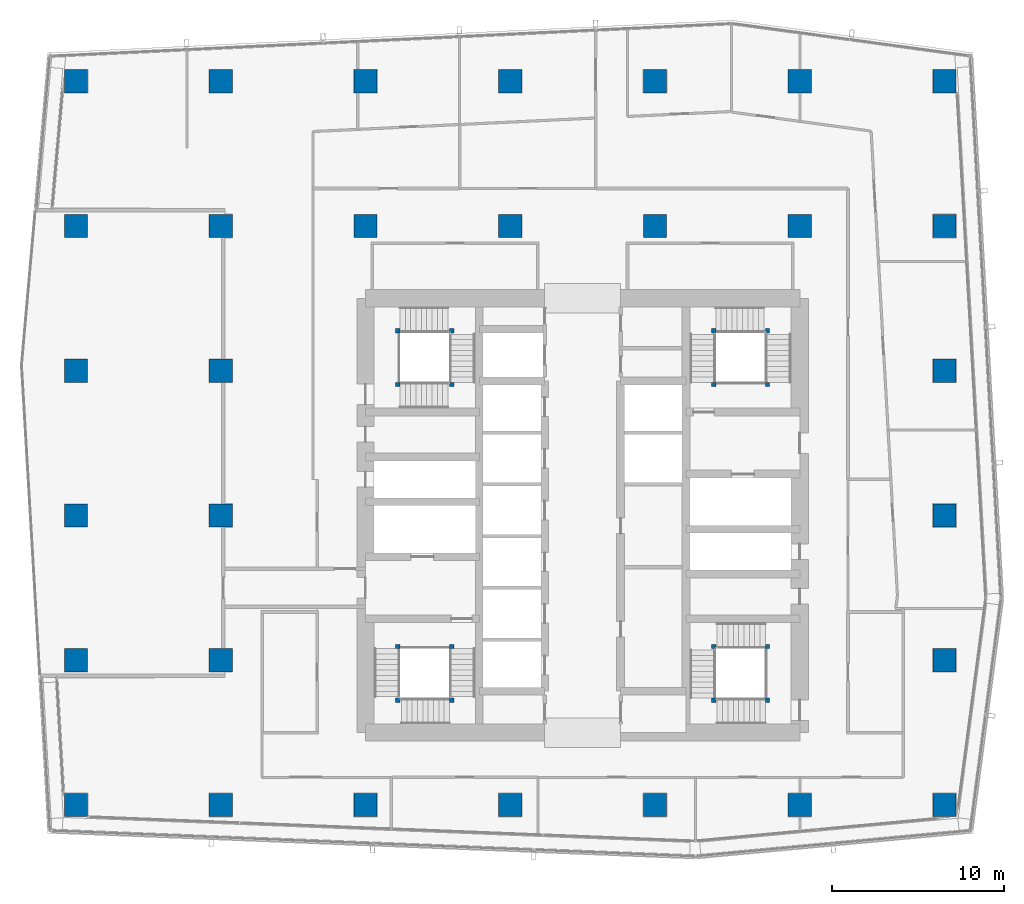
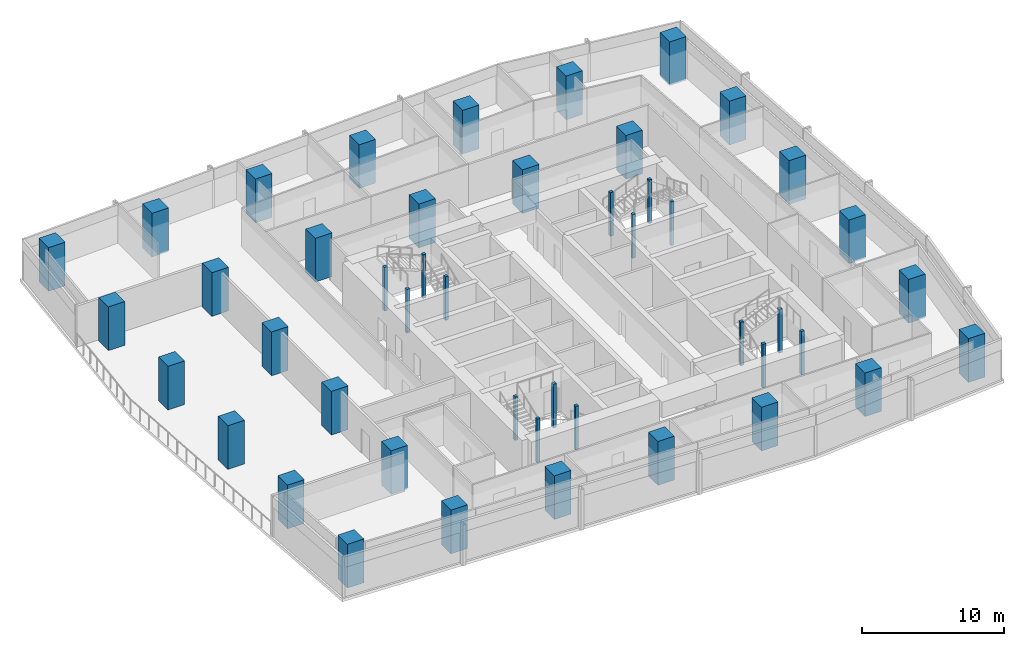
# One storey, part 1 of 35: 46 columns.
"""IFC4 building model written with IfcOpenShell, lengths in metres."""

from ifc_helpers import new_model, si_unit, direction, frame, origin, origin_2d, place, context, subcontext, project, spatial, rectangle, extrude, material, material_profile, profile_set, type_object, element, save


model = new_model("IFC4")

# Units and contexts
model_context = context("Model", 3, precision=1e-05, world=origin(), true_north=direction((0.0, 1.0)))
body_context = subcontext(model_context, "Body", "Model", "MODEL_VIEW")
ifc_project = project(units=[si_unit("LENGTHUNIT", "METRE"), si_unit("AREAUNIT", "SQUARE_METRE"), si_unit("VOLUMEUNIT", "CUBIC_METRE"), si_unit("PLANEANGLEUNIT", "RADIAN"), si_unit("MASSUNIT", "GRAM", prefix="KILO")], contexts=[model_context])

# Site, building, storey
site_placement = place(None, origin())
site = spatial("IfcSite", under=ifc_project, at=site_placement, CompositionType="ELEMENT")
building_placement = place(site_placement, origin())
building = spatial("IfcBuilding", under=site, at=building_placement, Name="Rekha Terrace Tower", CompositionType="ELEMENT")
storey_placement = place(building_placement, frame((0.0, 0.0, 191.449951171875)))
storey = spatial("IfcBuildingStorey", under=building, at=storey_placement, Name="L48", CompositionType="ELEMENT", Elevation=191.449951171875)

# Columns
ifc_material_1 = material(Name="Concrete M70", Category="concrete")
ifc_material_profile_1 = material_profile(ifc_material_1, rectangle(XDim=1.35009765625, YDim=1.35009765625, at=origin_2d()), Name="RC 1350x1350")
ifc_profile_set_1 = profile_set([ifc_material_profile_1], Name="Concrete M70")
column_type_1 = type_object("IfcColumnType", Name="C4 1350x1350 column", PredefinedType="COLUMN", material=ifc_profile_set_1)
for number, where, z_axis, x_axis, name in (
    (1, (8.39990234375, 16.800048828125, 0.0), (0.0, 0.0, 1.0), (1.0, 0.0, 0.0), "Column C4 2/C L48"),
    (2, (8.39990234375, 25.199951171875, 0.0), (0.0, 0.0, 1.0), (1.0, 0.0, 0.0), "Column C4 2/D L48"),
    (3, (8.39990234375, 33.60009765625, 0.0), (0.0, 0.0, 1.0), (1.0, 0.0, 0.0), "Column C4 2/E L48"),
    (4, (8.39990234375, 42.0, 0.0), (0.0, 0.0, 1.0), (1.0, 0.0, 0.0), "Column C4 2/F L48"),
    (5, (8.39990234375, 50.39990234375, 0.0), (0.0, 0.0, 1.0), (1.0, 0.0, 0.0), "Column C4 2/G L48"),
    (6, (8.39990234375, 58.800048828125, 0.0), (0.0, 0.0, 1.0), (1.0, 0.0, 0.0), "Column C4 2/H L48"),
    (7, (16.800048828125, 16.800048828125, 0.0), (0.0, 0.0, 1.0), (1.0, 0.0, 0.0), "Column C4 3/C L48"),
    (8, (16.800048828125, 25.199951171875, 0.0), (0.0, 0.0, 1.0), (1.0, 0.0, 0.0), "Column C4 3/D L48"),
    (9, (16.800048828125, 33.60009765625, 0.0), (0.0, 0.0, 1.0), (1.0, 0.0, 0.0), "Column C4 3/E L48"),
    (10, (16.800048828125, 42.0, 0.0), (0.0, 0.0, 1.0), (1.0, 0.0, 0.0), "Column C4 3/F L48"),
    (11, (16.800048828125, 50.39990234375, 0.0), (0.0, 0.0, 1.0), (1.0, 0.0, 0.0), "Column C4 3/G L48"),
    (12, (16.800048828125, 58.800048828125, 0.0), (0.0, 0.0, 1.0), (1.0, 0.0, 0.0), "Column C4 3/H L48"),
    (13, (25.199951171875, 16.800048828125, 0.0), (0.0, 0.0, 1.0), (1.0, 0.0, 0.0), "Column C4 4/C L48"),
    (14, (25.199951171875, 50.39990234375, 0.0), (0.0, 0.0, 1.0), (1.0, 0.0, 0.0), "Column C4 4/G L48"),
    (15, (25.199951171875, 58.800048828125, 0.0), (0.0, 0.0, 1.0), (1.0, 0.0, 0.0), "Column C4 4/H L48"),
    (16, (33.60009765625, 16.800048828125, 0.0), (0.0, 0.0, 1.0), (1.0, 0.0, 0.0), "Column C4 5/C L48"),
    (17, (33.60009765625, 50.39990234375, 0.0), (0.0, 0.0, 1.0), (1.0, 0.0, 0.0), "Column C4 5/G L48"),
    (18, (33.60009765625, 58.800048828125, 0.0), (0.0, 0.0, 1.0), (1.0, 0.0, 0.0), "Column C4 5/H L48"),
    (19, (42.0, 16.800048828125, 0.0), (0.0, 0.0, 1.0), (1.0, 0.0, 0.0), "Column C4 6/C L48"),
    (20, (42.0, 50.39990234375, 0.0), (0.0, 0.0, 1.0), (1.0, 0.0, 0.0), "Column C4 6/G L48"),
    (21, (42.0, 58.800048828125, 0.0), (0.0, 0.0, 1.0), (1.0, 0.0, 0.0), "Column C4 6/H L48"),
    (22, (50.39990234375, 16.800048828125, 0.0), (0.0, 0.0, 1.0), (1.0, 0.0, 0.0), "Column C4 7/C L48"),
    (23, (50.39990234375, 50.39990234375, 0.0), (0.0, 0.0, 1.0), (1.0, 0.0, 0.0), "Column C4 7/G L48"),
    (24, (50.39990234375, 58.800048828125, 0.0), (0.0, 0.0, 1.0), (1.0, 0.0, 0.0), "Column C4 7/H L48"),
    (25, (58.800048828125, 16.800048828125, 0.0), (0.0, 0.0, 1.0), (1.0, 0.0, 0.0), "Column C4 8/C L48"),
    (26, (58.800048828125, 25.199951171875, 0.0), (0.0, 0.0, 1.0), (1.0, 0.0, 0.0), "Column C4 8/D L48"),
    (27, (58.800048828125, 33.60009765625, 0.0), (0.0, 0.0, 1.0), (1.0, 0.0, 0.0), "Column C4 8/E L48"),
    (28, (58.800048828125, 42.0, 0.0), (0.0, 0.0, 1.0), (1.0, 0.0, 0.0), "Column C4 8/F L48"),
    (29, (58.800048828125, 50.39990234375, 0.0), (0.0, 0.0, 1.0), (1.0, 0.0, 0.0), "Column C4 8/G L48"),
    (30, (58.800048828125, 58.800048828125, 0.0), (0.0, 0.0, 1.0), (1.0, 0.0, 0.0), "Column C4 8/H L48"),
):
    element("IfcColumn", number, at=place(storey_placement, frame(where, z_axis=z_axis, x_axis=x_axis)), inside=storey, type_object=column_type_1, Name=name, PredefinedType="COLUMN", context=body_context, shape_type="SweptSolid", body=[
        extrude(rectangle(XDim=1.35009765625, YDim=1.35009765625, at=origin_2d()), origin(), (0.0, 0.0, 1.0), 3.75),
    ])
ifc_material_2 = material(Name="Concrete M60", Category="concrete")
ifc_material_profile_2 = material_profile(ifc_material_2, rectangle(XDim=0.25, YDim=0.25, at=origin_2d()), Name="RC 250x250")
ifc_profile_set_2 = profile_set([ifc_material_profile_2], Name="Concrete M60")
column_type_2 = type_object("IfcColumnType", Name="NP1 250x250 stair newel post", PredefinedType="COLUMN", material=ifc_profile_set_2)
for number, where, z_axis, x_axis, name in (
    (31, (30.199951171875, 26.0, 0.0), (0.0, 0.0, 1.0), (1.0, 0.0, 0.0), "Stair newel post NP1"),
    (32, (30.199951171875, 22.875, 0.0), (0.0, 0.0, 1.0), (1.0, 0.0, 0.0), "Stair newel post NP1"),
    (33, (27.074951171875, 22.875, 0.0), (0.0, 0.0, 1.0), (1.0, 0.0, 0.0), "Stair newel post NP1"),
    (34, (27.074951171875, 26.0, 0.0), (0.0, 0.0, 1.0), (1.0, 0.0, 0.0), "Stair newel post NP1"),
    (35, (45.39990234375, 41.199951171875, 0.0), (0.0, 0.0, 1.0), (1.0, 0.0, 0.0), "Stair newel post NP1"),
    (36, (45.39990234375, 44.324951171875, 0.0), (0.0, 0.0, 1.0), (1.0, 0.0, 0.0), "Stair newel post NP1"),
    (37, (48.52490234375, 44.324951171875, 0.0), (0.0, 0.0, 1.0), (1.0, 0.0, 0.0), "Stair newel post NP1"),
    (38, (48.52490234375, 41.199951171875, 0.0), (0.0, 0.0, 1.0), (1.0, 0.0, 0.0), "Stair newel post NP1"),
    (39, (48.52490234375, 22.875, 0.0), (0.0, 0.0, 1.0), (1.0, 0.0, 0.0), "Stair newel post NP1"),
    (40, (45.39990234375, 22.875, 0.0), (0.0, 0.0, 1.0), (1.0, 0.0, 0.0), "Stair newel post NP1"),
    (41, (45.39990234375, 26.0, 0.0), (0.0, 0.0, 1.0), (1.0, 0.0, 0.0), "Stair newel post NP1"),
    (42, (48.52490234375, 26.0, 0.0), (0.0, 0.0, 1.0), (1.0, 0.0, 0.0), "Stair newel post NP1"),
    (43, (27.074951171875, 41.199951171875, 0.0), (0.0, 0.0, 1.0), (1.0, 0.0, 0.0), "Stair newel post NP1"),
    (44, (30.199951171875, 41.199951171875, 0.0), (0.0, 0.0, 1.0), (1.0, 0.0, 0.0), "Stair newel post NP1"),
    (45, (30.199951171875, 44.324951171875, 0.0), (0.0, 0.0, 1.0), (1.0, 0.0, 0.0), "Stair newel post NP1"),
    (46, (27.074951171875, 44.324951171875, 0.0), (0.0, 0.0, 1.0), (1.0, 0.0, 0.0), "Stair newel post NP1"),
):
    element("IfcColumn", number, at=place(storey_placement, frame(where, z_axis=z_axis, x_axis=x_axis)), inside=storey, type_object=column_type_2, Name=name, PredefinedType="COLUMN", context=body_context, shape_type="SweptSolid", body=[
        extrude(rectangle(XDim=0.25, YDim=0.25, at=origin_2d()), origin(), (0.0, 0.0, 1.0), 3.75),
    ])

save(model, "model.ifc")
